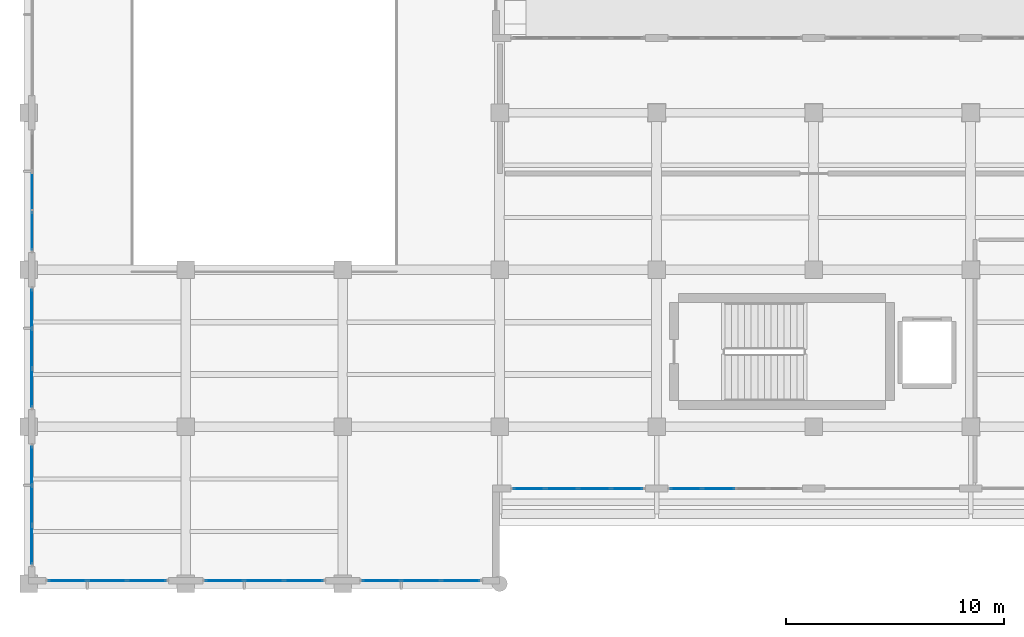
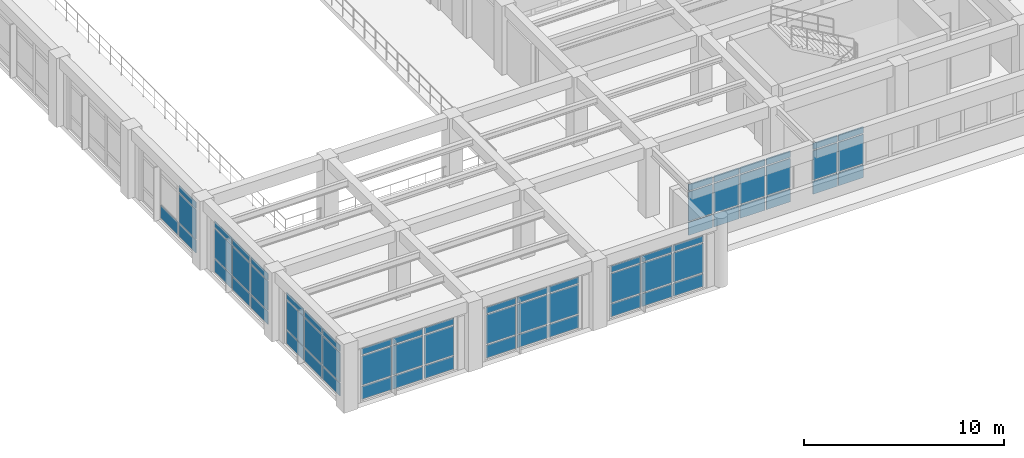
# One storey, part 33 of 67: 67 plates, 8 elements without a shape of their own.
"""IFC4 building model written with IfcOpenShell, lengths in metres."""

from ifc_helpers import new_model, si_unit, direction, frame, origin, origin_2d, place, context, subcontext, project, spatial, rectangle, extrude, material, layer, layer_set, type_object, element, aggregate, save


model = new_model("IFC4")

# Units and contexts
model_context = context("Model", 3, precision=1e-05, world=origin(), true_north=direction((0.0, 1.0)))
body_context = subcontext(model_context, "Body", "Model", "MODEL_VIEW")
ifc_project = project(units=[si_unit("LENGTHUNIT", "METRE"), si_unit("AREAUNIT", "SQUARE_METRE"), si_unit("VOLUMEUNIT", "CUBIC_METRE"), si_unit("PLANEANGLEUNIT", "RADIAN"), si_unit("MASSUNIT", "GRAM", prefix="KILO")], contexts=[model_context])

# Site, building, storey
site_placement = place(None, origin())
site = spatial("IfcSite", under=ifc_project, at=site_placement, CompositionType="ELEMENT")
building_placement = place(site_placement, origin())
building = spatial("IfcBuilding", under=site, at=building_placement, Name="Solenvale Faculty of Natural Sciences", CompositionType="ELEMENT")
storey_placement = place(building_placement, frame((0.0, 0.0, 13.5)))
storey = spatial("IfcBuildingStorey", under=building, at=storey_placement, Name="L03", CompositionType="ELEMENT", Elevation=13.5)

# Curtain wall, plates
ifc_material_1 = material(Name="Anodised bronze aluminium", Category="aluminium")
ifc_layer_1 = layer(ifc_material_1, 0.215087890625)
ifc_layer_set_1 = layer_set([ifc_layer_1], Name="Anodised bronze aluminium")
curtain_wall_type_1 = type_object("IfcCurtainWallType", Name="CW-ATR-UNIT", PredefinedType="USERDEFINED", material=ifc_layer_set_1)
curtain_wall_1_placement = place(storey_placement, origin())
curtain_wall_1 = element("IfcCurtainWall", 1, at=curtain_wall_1_placement, inside=storey, type_object=curtain_wall_type_1, Name="L03 Curtain Wall CW-L03-P1-E3-B9", ObjectType="UNITISED CURTAIN WALL", PredefinedType="USERDEFINED")
ifc_material_2 = material(Name="North-light skylight glass", Category="glass")
ifc_layer_2 = layer(ifc_material_2, 0.028076171875)
ifc_layer_set_2 = layer_set([ifc_layer_2], Name="North-light skylight glass")
plate_type_1 = type_object("IfcPlateType", Name="CWP-PNL-28", PredefinedType="CURTAIN_PANEL", material=ifc_layer_set_2)
plate_1_placement = place(storey_placement, frame((36.142578125, 32.39990234375, 0.074951171875), z_axis=(0.0, 0.0, 1.0), x_axis=(0.0, -1.0, 0.0)))
plate_1 = element("IfcPlate", 2, at=plate_1_placement, type_object=plate_type_1, Name="CW-01 panel 2.1", PredefinedType="CURTAIN_PANEL", context=body_context, shape_type="SweptSolid", body=[
    extrude(rectangle(XDim=1.75830078125, YDim=0.028076171875, at=origin_2d()), origin(), (0.0, 0.0, 1.0), 0.78759765625),
])
plate_2_placement = place(storey_placement, frame((36.142578125, 30.58544921875, 0.074951171875), z_axis=(0.0, 0.0, 1.0), x_axis=(0.0, -1.0, 0.0)))
plate_2 = element("IfcPlate", 3, at=plate_2_placement, type_object=plate_type_1, Name="CW-01 panel 3.1", PredefinedType="CURTAIN_PANEL", context=body_context, shape_type="SweptSolid", body=[
    extrude(rectangle(XDim=1.720947265625, YDim=0.028076171875, at=origin_2d()), origin(), (0.0, 0.0, 1.0), 0.78759765625),
])
plate_3_placement = place(storey_placement, frame((36.142578125, 30.58544921875, 0.9375), z_axis=(0.0, 0.0, 1.0), x_axis=(0.0, -1.0, 0.0)))
plate_3 = element("IfcPlate", 4, at=plate_3_placement, type_object=plate_type_1, Name="CW-01 panel 3.2", PredefinedType="CURTAIN_PANEL", context=body_context, shape_type="SweptSolid", body=[
    extrude(rectangle(XDim=1.720947265625, YDim=0.028076171875, at=origin_2d()), origin(), (0.0, 0.0, 1.0), 1.784912109375),
])
plate_4_placement = place(storey_placement, frame((36.142578125, 30.58544921875, 2.79736328125), z_axis=(0.0, 0.0, 1.0), x_axis=(0.0, -1.0, 0.0)))
plate_4 = element("IfcPlate", 5, at=plate_4_placement, type_object=plate_type_1, Name="CW-01 panel 3.3", PredefinedType="CURTAIN_PANEL", context=body_context, shape_type="SweptSolid", body=[
    extrude(rectangle(XDim=1.720947265625, YDim=0.028076171875, at=origin_2d()), origin(), (0.0, 0.0, 1.0), 0.387451171875),
])
aggregate(curtain_wall_1, [plate_1, plate_2, plate_3, plate_4])

curtain_wall_2_placement = place(storey_placement, origin())
curtain_wall_2 = element("IfcCurtainWall", 6, at=curtain_wall_2_placement, inside=storey, type_object=curtain_wall_type_1, Name="L03 Curtain Wall CW-L03-P1-E3-B10", ObjectType="UNITISED CURTAIN WALL", PredefinedType="USERDEFINED")
ifc_material_3 = material(Name="Triple low-E insulated glass", Category="glass")
ifc_layer_3 = layer(ifc_material_3, 0.031982421875)
ifc_layer_set_3 = layer_set([ifc_layer_3], Name="Triple low-E insulated glass")
plate_type_2 = type_object("IfcPlateType", Name="CWP-PNL-32", PredefinedType="CURTAIN_PANEL", material=ifc_layer_set_3)
plate_5_placement = place(storey_placement, frame((36.142578125, 27.0146484375, 0.074951171875), z_axis=(0.0, 0.0, 1.0), x_axis=(0.0, -1.0, 0.0)))
plate_5 = element("IfcPlate", 7, at=plate_5_placement, type_object=plate_type_2, Name="CW-01 panel 1.1", PredefinedType="CURTAIN_PANEL", context=body_context, shape_type="SweptSolid", body=[
    extrude(rectangle(XDim=1.720947265625, YDim=0.031982421875, at=origin_2d()), origin(), (0.0, 0.0, 1.0), 0.78759765625),
])
plate_6_placement = place(storey_placement, frame((36.142578125, 27.0146484375, 0.9375), z_axis=(0.0, 0.0, 1.0), x_axis=(0.0, -1.0, 0.0)))
plate_6 = element("IfcPlate", 8, at=plate_6_placement, type_object=plate_type_2, Name="CW-01 panel 1.2", PredefinedType="CURTAIN_PANEL", context=body_context, shape_type="SweptSolid", body=[
    extrude(rectangle(XDim=1.720947265625, YDim=0.031982421875, at=origin_2d()), origin(), (0.0, 0.0, 1.0), 1.784912109375),
])
plate_7_placement = place(storey_placement, frame((36.142578125, 27.0146484375, 2.79736328125), z_axis=(0.0, 0.0, 1.0), x_axis=(0.0, -1.0, 0.0)))
plate_7 = element("IfcPlate", 9, at=plate_7_placement, type_object=plate_type_2, Name="CW-01 panel 1.3", PredefinedType="CURTAIN_PANEL", context=body_context, shape_type="SweptSolid", body=[
    extrude(rectangle(XDim=1.720947265625, YDim=0.031982421875, at=origin_2d()), origin(), (0.0, 0.0, 1.0), 0.387451171875),
])
plate_8_placement = place(storey_placement, frame((36.142578125, 25.199951171875, 0.074951171875), z_axis=(0.0, 0.0, 1.0), x_axis=(0.0, -1.0, 0.0)))
plate_8 = element("IfcPlate", 10, at=plate_8_placement, type_object=plate_type_2, Name="CW-01 panel 2.1", PredefinedType="CURTAIN_PANEL", context=body_context, shape_type="SweptSolid", body=[
    extrude(rectangle(XDim=1.75830078125, YDim=0.031982421875, at=origin_2d()), origin(), (0.0, 0.0, 1.0), 0.78759765625),
])
plate_9_placement = place(storey_placement, frame((36.142578125, 25.199951171875, 0.9375), z_axis=(0.0, 0.0, 1.0), x_axis=(0.0, -1.0, 0.0)))
plate_9 = element("IfcPlate", 11, at=plate_9_placement, type_object=plate_type_2, Name="CW-01 panel 2.2", PredefinedType="CURTAIN_PANEL", context=body_context, shape_type="SweptSolid", body=[
    extrude(rectangle(XDim=1.75830078125, YDim=0.031982421875, at=origin_2d()), origin(), (0.0, 0.0, 1.0), 1.784912109375),
])
plate_10_placement = place(storey_placement, frame((36.142578125, 25.199951171875, 2.79736328125), z_axis=(0.0, 0.0, 1.0), x_axis=(0.0, -1.0, 0.0)))
plate_10 = element("IfcPlate", 12, at=plate_10_placement, type_object=plate_type_2, Name="CW-01 panel 2.3", PredefinedType="CURTAIN_PANEL", context=body_context, shape_type="SweptSolid", body=[
    extrude(rectangle(XDim=1.75830078125, YDim=0.031982421875, at=origin_2d()), origin(), (0.0, 0.0, 1.0), 0.387451171875),
])
plate_11_placement = place(storey_placement, frame((36.142578125, 23.385498046875, 0.074951171875), z_axis=(0.0, 0.0, 1.0), x_axis=(0.0, -1.0, 0.0)))
plate_11 = element("IfcPlate", 13, at=plate_11_placement, type_object=plate_type_2, Name="CW-01 panel 3.1", PredefinedType="CURTAIN_PANEL", context=body_context, shape_type="SweptSolid", body=[
    extrude(rectangle(XDim=1.720947265625, YDim=0.031982421875, at=origin_2d()), origin(), (0.0, 0.0, 1.0), 0.78759765625),
])
plate_12_placement = place(storey_placement, frame((36.142578125, 23.385498046875, 0.9375), z_axis=(0.0, 0.0, 1.0), x_axis=(0.0, -1.0, 0.0)))
plate_12 = element("IfcPlate", 14, at=plate_12_placement, type_object=plate_type_2, Name="CW-01 panel 3.2", PredefinedType="CURTAIN_PANEL", context=body_context, shape_type="SweptSolid", body=[
    extrude(rectangle(XDim=1.720947265625, YDim=0.031982421875, at=origin_2d()), origin(), (0.0, 0.0, 1.0), 1.784912109375),
])
plate_13_placement = place(storey_placement, frame((36.142578125, 23.385498046875, 2.79736328125), z_axis=(0.0, 0.0, 1.0), x_axis=(0.0, -1.0, 0.0)))
plate_13 = element("IfcPlate", 15, at=plate_13_placement, type_object=plate_type_2, Name="CW-01 panel 3.3", PredefinedType="CURTAIN_PANEL", context=body_context, shape_type="SweptSolid", body=[
    extrude(rectangle(XDim=1.720947265625, YDim=0.031982421875, at=origin_2d()), origin(), (0.0, 0.0, 1.0), 0.387451171875),
])
aggregate(curtain_wall_2, [plate_5, plate_6, plate_7, plate_8, plate_9, plate_10, plate_11, plate_12, plate_13])

curtain_wall_3_placement = place(storey_placement, origin())
curtain_wall_3 = element("IfcCurtainWall", 16, at=curtain_wall_3_placement, inside=storey, type_object=curtain_wall_type_1, Name="L03 Curtain Wall CW-L03-P1-E4-B1", ObjectType="UNITISED CURTAIN WALL", PredefinedType="USERDEFINED")
plate_14_placement = place(storey_placement, frame((37.785400390625, 14.54248046875, 0.074951171875), z_axis=(0.0, 0.0, 1.0), x_axis=(1.0, 0.0, 0.0)))
plate_14 = element("IfcPlate", 17, at=plate_14_placement, type_object=plate_type_2, Name="CW-01 panel 1.1", PredefinedType="CURTAIN_PANEL", context=body_context, shape_type="SweptSolid", body=[
    extrude(rectangle(XDim=1.720947265625, YDim=0.031982421875, at=origin_2d()), origin(), (0.0, 0.0, 1.0), 0.78759765625),
])
plate_15_placement = place(storey_placement, frame((37.785400390625, 14.54248046875, 0.9375), z_axis=(0.0, 0.0, 1.0), x_axis=(1.0, 0.0, 0.0)))
plate_15 = element("IfcPlate", 18, at=plate_15_placement, type_object=plate_type_2, Name="CW-01 panel 1.2", PredefinedType="CURTAIN_PANEL", context=body_context, shape_type="SweptSolid", body=[
    extrude(rectangle(XDim=1.720947265625, YDim=0.031982421875, at=origin_2d()), origin(), (0.0, 0.0, 1.0), 1.784912109375),
])
plate_16_placement = place(storey_placement, frame((37.785400390625, 14.54248046875, 2.79736328125), z_axis=(0.0, 0.0, 1.0), x_axis=(1.0, 0.0, 0.0)))
plate_16 = element("IfcPlate", 19, at=plate_16_placement, type_object=plate_type_2, Name="CW-01 panel 1.3", PredefinedType="CURTAIN_PANEL", context=body_context, shape_type="SweptSolid", body=[
    extrude(rectangle(XDim=1.720947265625, YDim=0.031982421875, at=origin_2d()), origin(), (0.0, 0.0, 1.0), 0.387451171875),
])
plate_17_placement = place(storey_placement, frame((39.60009765625, 14.54248046875, 0.074951171875), z_axis=(0.0, 0.0, 1.0), x_axis=(1.0, 0.0, 0.0)))
plate_17 = element("IfcPlate", 20, at=plate_17_placement, type_object=plate_type_2, Name="CW-01 panel 2.1", PredefinedType="CURTAIN_PANEL", context=body_context, shape_type="SweptSolid", body=[
    extrude(rectangle(XDim=1.75830078125, YDim=0.031982421875, at=origin_2d()), origin(), (0.0, 0.0, 1.0), 0.78759765625),
])
plate_18_placement = place(storey_placement, frame((39.60009765625, 14.54248046875, 0.9375), z_axis=(0.0, 0.0, 1.0), x_axis=(1.0, 0.0, 0.0)))
plate_18 = element("IfcPlate", 21, at=plate_18_placement, type_object=plate_type_2, Name="CW-01 panel 2.2", PredefinedType="CURTAIN_PANEL", context=body_context, shape_type="SweptSolid", body=[
    extrude(rectangle(XDim=1.75830078125, YDim=0.031982421875, at=origin_2d()), origin(), (0.0, 0.0, 1.0), 1.784912109375),
])
plate_19_placement = place(storey_placement, frame((39.60009765625, 14.54248046875, 2.79736328125), z_axis=(0.0, 0.0, 1.0), x_axis=(1.0, 0.0, 0.0)))
plate_19 = element("IfcPlate", 22, at=plate_19_placement, type_object=plate_type_2, Name="CW-01 panel 2.3", PredefinedType="CURTAIN_PANEL", context=body_context, shape_type="SweptSolid", body=[
    extrude(rectangle(XDim=1.75830078125, YDim=0.031982421875, at=origin_2d()), origin(), (0.0, 0.0, 1.0), 0.387451171875),
])
plate_20_placement = place(storey_placement, frame((41.41455078125, 14.54248046875, 0.074951171875), z_axis=(0.0, 0.0, 1.0), x_axis=(1.0, 0.0, 0.0)))
plate_20 = element("IfcPlate", 23, at=plate_20_placement, type_object=plate_type_2, Name="CW-01 panel 3.1", PredefinedType="CURTAIN_PANEL", context=body_context, shape_type="SweptSolid", body=[
    extrude(rectangle(XDim=1.720947265625, YDim=0.031982421875, at=origin_2d()), origin(), (0.0, 0.0, 1.0), 0.78759765625),
])
plate_21_placement = place(storey_placement, frame((41.41455078125, 14.54248046875, 0.9375), z_axis=(0.0, 0.0, 1.0), x_axis=(1.0, 0.0, 0.0)))
plate_21 = element("IfcPlate", 24, at=plate_21_placement, type_object=plate_type_2, Name="CW-01 panel 3.2", PredefinedType="CURTAIN_PANEL", context=body_context, shape_type="SweptSolid", body=[
    extrude(rectangle(XDim=1.720947265625, YDim=0.031982421875, at=origin_2d()), origin(), (0.0, 0.0, 1.0), 1.784912109375),
])
plate_22_placement = place(storey_placement, frame((41.41455078125, 14.54248046875, 2.79736328125), z_axis=(0.0, 0.0, 1.0), x_axis=(1.0, 0.0, 0.0)))
plate_22 = element("IfcPlate", 25, at=plate_22_placement, type_object=plate_type_2, Name="CW-01 panel 3.3", PredefinedType="CURTAIN_PANEL", context=body_context, shape_type="SweptSolid", body=[
    extrude(rectangle(XDim=1.720947265625, YDim=0.031982421875, at=origin_2d()), origin(), (0.0, 0.0, 1.0), 0.387451171875),
])
aggregate(curtain_wall_3, [plate_14, plate_15, plate_16, plate_17, plate_18, plate_19, plate_20, plate_21, plate_22])

curtain_wall_4_placement = place(storey_placement, origin())
curtain_wall_4 = element("IfcCurtainWall", 26, at=curtain_wall_4_placement, inside=storey, type_object=curtain_wall_type_1, Name="L03 Curtain Wall CW-L03-P1-E3-B11", ObjectType="UNITISED CURTAIN WALL", PredefinedType="USERDEFINED")
ifc_layer_4 = layer(ifc_material_3, 0.035888671875)
ifc_layer_set_4 = layer_set([ifc_layer_4], Name="Triple low-E insulated glass")
plate_type_3 = type_object("IfcPlateType", Name="CWP-PNL-36", PredefinedType="CURTAIN_PANEL", material=ifc_layer_set_4)
plate_23_placement = place(storey_placement, frame((36.142578125, 19.814697265625, 0.074951171875), z_axis=(0.0, 0.0, 1.0), x_axis=(0.0, -1.0, 0.0)))
plate_23 = element("IfcPlate", 27, at=plate_23_placement, type_object=plate_type_3, Name="CW-01 panel 1.1", PredefinedType="CURTAIN_PANEL", context=body_context, shape_type="SweptSolid", body=[
    extrude(rectangle(XDim=1.720947265625, YDim=0.035888671875, at=origin_2d()), origin(), (0.0, 0.0, 1.0), 0.78759765625),
])
plate_24_placement = place(storey_placement, frame((36.142578125, 19.814697265625, 0.9375), z_axis=(0.0, 0.0, 1.0), x_axis=(0.0, -1.0, 0.0)))
plate_24 = element("IfcPlate", 28, at=plate_24_placement, type_object=plate_type_3, Name="CW-01 panel 1.2", PredefinedType="CURTAIN_PANEL", context=body_context, shape_type="SweptSolid", body=[
    extrude(rectangle(XDim=1.720947265625, YDim=0.035888671875, at=origin_2d()), origin(), (0.0, 0.0, 1.0), 1.784912109375),
])
plate_25_placement = place(storey_placement, frame((36.142578125, 19.814697265625, 2.79736328125), z_axis=(0.0, 0.0, 1.0), x_axis=(0.0, -1.0, 0.0)))
plate_25 = element("IfcPlate", 29, at=plate_25_placement, type_object=plate_type_3, Name="CW-01 panel 1.3", PredefinedType="CURTAIN_PANEL", context=body_context, shape_type="SweptSolid", body=[
    extrude(rectangle(XDim=1.720947265625, YDim=0.035888671875, at=origin_2d()), origin(), (0.0, 0.0, 1.0), 0.387451171875),
])
plate_26_placement = place(storey_placement, frame((36.142578125, 18.0, 0.074951171875), z_axis=(0.0, 0.0, 1.0), x_axis=(0.0, -1.0, 0.0)))
plate_26 = element("IfcPlate", 30, at=plate_26_placement, type_object=plate_type_3, Name="CW-01 panel 2.1", PredefinedType="CURTAIN_PANEL", context=body_context, shape_type="SweptSolid", body=[
    extrude(rectangle(XDim=1.75830078125, YDim=0.035888671875, at=origin_2d()), origin(), (0.0, 0.0, 1.0), 0.78759765625),
])
plate_27_placement = place(storey_placement, frame((36.142578125, 18.0, 0.9375), z_axis=(0.0, 0.0, 1.0), x_axis=(0.0, -1.0, 0.0)))
plate_27 = element("IfcPlate", 31, at=plate_27_placement, type_object=plate_type_3, Name="CW-01 panel 2.2", PredefinedType="CURTAIN_PANEL", context=body_context, shape_type="SweptSolid", body=[
    extrude(rectangle(XDim=1.75830078125, YDim=0.035888671875, at=origin_2d()), origin(), (0.0, 0.0, 1.0), 1.784912109375),
])
plate_28_placement = place(storey_placement, frame((36.142578125, 18.0, 2.79736328125), z_axis=(0.0, 0.0, 1.0), x_axis=(0.0, -1.0, 0.0)))
plate_28 = element("IfcPlate", 32, at=plate_28_placement, type_object=plate_type_3, Name="CW-01 panel 2.3", PredefinedType="CURTAIN_PANEL", context=body_context, shape_type="SweptSolid", body=[
    extrude(rectangle(XDim=1.75830078125, YDim=0.035888671875, at=origin_2d()), origin(), (0.0, 0.0, 1.0), 0.387451171875),
])
plate_29_placement = place(storey_placement, frame((36.142578125, 16.185302734375, 0.074951171875), z_axis=(0.0, 0.0, 1.0), x_axis=(0.0, -1.0, 0.0)))
plate_29 = element("IfcPlate", 33, at=plate_29_placement, type_object=plate_type_3, Name="CW-01 panel 3.1", PredefinedType="CURTAIN_PANEL", context=body_context, shape_type="SweptSolid", body=[
    extrude(rectangle(XDim=1.720947265625, YDim=0.035888671875, at=origin_2d()), origin(), (0.0, 0.0, 1.0), 0.78759765625),
])
plate_30_placement = place(storey_placement, frame((36.142578125, 16.185302734375, 0.9375), z_axis=(0.0, 0.0, 1.0), x_axis=(0.0, -1.0, 0.0)))
plate_30 = element("IfcPlate", 34, at=plate_30_placement, type_object=plate_type_3, Name="CW-01 panel 3.2", PredefinedType="CURTAIN_PANEL", context=body_context, shape_type="SweptSolid", body=[
    extrude(rectangle(XDim=1.720947265625, YDim=0.035888671875, at=origin_2d()), origin(), (0.0, 0.0, 1.0), 1.784912109375),
])
plate_31_placement = place(storey_placement, frame((36.142578125, 16.185302734375, 2.79736328125), z_axis=(0.0, 0.0, 1.0), x_axis=(0.0, -1.0, 0.0)))
plate_31 = element("IfcPlate", 35, at=plate_31_placement, type_object=plate_type_3, Name="CW-01 panel 3.3", PredefinedType="CURTAIN_PANEL", context=body_context, shape_type="SweptSolid", body=[
    extrude(rectangle(XDim=1.720947265625, YDim=0.035888671875, at=origin_2d()), origin(), (0.0, 0.0, 1.0), 0.387451171875),
])
aggregate(curtain_wall_4, [plate_23, plate_24, plate_25, plate_26, plate_27, plate_28, plate_29, plate_30, plate_31])

curtain_wall_5_placement = place(storey_placement, origin())
curtain_wall_5 = element("IfcCurtainWall", 36, at=curtain_wall_5_placement, inside=storey, type_object=curtain_wall_type_1, Name="L03 Curtain Wall CW-L03-P1-E4-B2", ObjectType="UNITISED CURTAIN WALL", PredefinedType="USERDEFINED")
plate_32_placement = place(storey_placement, frame((44.9853515625, 14.54248046875, 0.074951171875), z_axis=(0.0, 0.0, 1.0), x_axis=(1.0, 0.0, 0.0)))
plate_32 = element("IfcPlate", 37, at=plate_32_placement, type_object=plate_type_3, Name="CW-01 panel 1.1", PredefinedType="CURTAIN_PANEL", context=body_context, shape_type="SweptSolid", body=[
    extrude(rectangle(XDim=1.720947265625, YDim=0.035888671875, at=origin_2d()), origin(), (0.0, 0.0, 1.0), 0.78759765625),
])
plate_33_placement = place(storey_placement, frame((44.9853515625, 14.54248046875, 0.9375), z_axis=(0.0, 0.0, 1.0), x_axis=(1.0, 0.0, 0.0)))
plate_33 = element("IfcPlate", 38, at=plate_33_placement, type_object=plate_type_3, Name="CW-01 panel 1.2", PredefinedType="CURTAIN_PANEL", context=body_context, shape_type="SweptSolid", body=[
    extrude(rectangle(XDim=1.720947265625, YDim=0.035888671875, at=origin_2d()), origin(), (0.0, 0.0, 1.0), 1.784912109375),
])
plate_34_placement = place(storey_placement, frame((44.9853515625, 14.54248046875, 2.79736328125), z_axis=(0.0, 0.0, 1.0), x_axis=(1.0, 0.0, 0.0)))
plate_34 = element("IfcPlate", 39, at=plate_34_placement, type_object=plate_type_3, Name="CW-01 panel 1.3", PredefinedType="CURTAIN_PANEL", context=body_context, shape_type="SweptSolid", body=[
    extrude(rectangle(XDim=1.720947265625, YDim=0.035888671875, at=origin_2d()), origin(), (0.0, 0.0, 1.0), 0.387451171875),
])
plate_35_placement = place(storey_placement, frame((46.800048828125, 14.54248046875, 0.074951171875), z_axis=(0.0, 0.0, 1.0), x_axis=(1.0, 0.0, 0.0)))
plate_35 = element("IfcPlate", 40, at=plate_35_placement, type_object=plate_type_3, Name="CW-01 panel 2.1", PredefinedType="CURTAIN_PANEL", context=body_context, shape_type="SweptSolid", body=[
    extrude(rectangle(XDim=1.75830078125, YDim=0.035888671875, at=origin_2d()), origin(), (0.0, 0.0, 1.0), 0.78759765625),
])
plate_36_placement = place(storey_placement, frame((46.800048828125, 14.54248046875, 0.9375), z_axis=(0.0, 0.0, 1.0), x_axis=(1.0, 0.0, 0.0)))
plate_36 = element("IfcPlate", 41, at=plate_36_placement, type_object=plate_type_3, Name="CW-01 panel 2.2", PredefinedType="CURTAIN_PANEL", context=body_context, shape_type="SweptSolid", body=[
    extrude(rectangle(XDim=1.75830078125, YDim=0.035888671875, at=origin_2d()), origin(), (0.0, 0.0, 1.0), 1.784912109375),
])
plate_37_placement = place(storey_placement, frame((46.800048828125, 14.54248046875, 2.79736328125), z_axis=(0.0, 0.0, 1.0), x_axis=(1.0, 0.0, 0.0)))
plate_37 = element("IfcPlate", 42, at=plate_37_placement, type_object=plate_type_3, Name="CW-01 panel 2.3", PredefinedType="CURTAIN_PANEL", context=body_context, shape_type="SweptSolid", body=[
    extrude(rectangle(XDim=1.75830078125, YDim=0.035888671875, at=origin_2d()), origin(), (0.0, 0.0, 1.0), 0.387451171875),
])
plate_38_placement = place(storey_placement, frame((48.614501953125, 14.54248046875, 0.074951171875), z_axis=(0.0, 0.0, 1.0), x_axis=(1.0, 0.0, 0.0)))
plate_38 = element("IfcPlate", 43, at=plate_38_placement, type_object=plate_type_3, Name="CW-01 panel 3.1", PredefinedType="CURTAIN_PANEL", context=body_context, shape_type="SweptSolid", body=[
    extrude(rectangle(XDim=1.720947265625, YDim=0.035888671875, at=origin_2d()), origin(), (0.0, 0.0, 1.0), 0.78759765625),
])
plate_39_placement = place(storey_placement, frame((48.614501953125, 14.54248046875, 0.9375), z_axis=(0.0, 0.0, 1.0), x_axis=(1.0, 0.0, 0.0)))
plate_39 = element("IfcPlate", 44, at=plate_39_placement, type_object=plate_type_3, Name="CW-01 panel 3.2", PredefinedType="CURTAIN_PANEL", context=body_context, shape_type="SweptSolid", body=[
    extrude(rectangle(XDim=1.720947265625, YDim=0.035888671875, at=origin_2d()), origin(), (0.0, 0.0, 1.0), 1.784912109375),
])
plate_40_placement = place(storey_placement, frame((48.614501953125, 14.54248046875, 2.79736328125), z_axis=(0.0, 0.0, 1.0), x_axis=(1.0, 0.0, 0.0)))
plate_40 = element("IfcPlate", 45, at=plate_40_placement, type_object=plate_type_3, Name="CW-01 panel 3.3", PredefinedType="CURTAIN_PANEL", context=body_context, shape_type="SweptSolid", body=[
    extrude(rectangle(XDim=1.720947265625, YDim=0.035888671875, at=origin_2d()), origin(), (0.0, 0.0, 1.0), 0.387451171875),
])
aggregate(curtain_wall_5, [plate_32, plate_33, plate_34, plate_35, plate_36, plate_37, plate_38, plate_39, plate_40])

curtain_wall_6_placement = place(storey_placement, origin())
curtain_wall_6 = element("IfcCurtainWall", 46, at=curtain_wall_6_placement, inside=storey, type_object=curtain_wall_type_1, Name="L03 Curtain Wall CW-L03-P1-E4-B3", ObjectType="UNITISED CURTAIN WALL", PredefinedType="USERDEFINED")
ifc_layer_5 = layer(ifc_material_3, 0.0400390625)
ifc_layer_set_5 = layer_set([ifc_layer_5], Name="Triple low-E insulated glass")
plate_type_4 = type_object("IfcPlateType", Name="CWP-PNL-40", PredefinedType="CURTAIN_PANEL", material=ifc_layer_set_5)
plate_41_placement = place(storey_placement, frame((52.185302734375, 14.54248046875, 0.074951171875), z_axis=(0.0, 0.0, 1.0), x_axis=(1.0, 0.0, 0.0)))
plate_41 = element("IfcPlate", 47, at=plate_41_placement, type_object=plate_type_4, Name="CW-01 panel 1.1", PredefinedType="CURTAIN_PANEL", context=body_context, shape_type="SweptSolid", body=[
    extrude(rectangle(XDim=1.720947265625, YDim=0.0400390625, at=origin_2d()), origin(), (0.0, 0.0, 1.0), 0.78759765625),
])
plate_42_placement = place(storey_placement, frame((52.185302734375, 14.54248046875, 0.9375), z_axis=(0.0, 0.0, 1.0), x_axis=(1.0, 0.0, 0.0)))
plate_42 = element("IfcPlate", 48, at=plate_42_placement, type_object=plate_type_4, Name="CW-01 panel 1.2", PredefinedType="CURTAIN_PANEL", context=body_context, shape_type="SweptSolid", body=[
    extrude(rectangle(XDim=1.720947265625, YDim=0.0400390625, at=origin_2d()), origin(), (0.0, 0.0, 1.0), 1.784912109375),
])
plate_43_placement = place(storey_placement, frame((52.185302734375, 14.54248046875, 2.79736328125), z_axis=(0.0, 0.0, 1.0), x_axis=(1.0, 0.0, 0.0)))
plate_43 = element("IfcPlate", 49, at=plate_43_placement, type_object=plate_type_4, Name="CW-01 panel 1.3", PredefinedType="CURTAIN_PANEL", context=body_context, shape_type="SweptSolid", body=[
    extrude(rectangle(XDim=1.720947265625, YDim=0.0400390625, at=origin_2d()), origin(), (0.0, 0.0, 1.0), 0.387451171875),
])
plate_44_placement = place(storey_placement, frame((54.0, 14.54248046875, 0.074951171875), z_axis=(0.0, 0.0, 1.0), x_axis=(1.0, 0.0, 0.0)))
plate_44 = element("IfcPlate", 50, at=plate_44_placement, type_object=plate_type_4, Name="CW-01 panel 2.1", PredefinedType="CURTAIN_PANEL", context=body_context, shape_type="SweptSolid", body=[
    extrude(rectangle(XDim=1.75830078125, YDim=0.0400390625, at=origin_2d()), origin(), (0.0, 0.0, 1.0), 0.78759765625),
])
plate_45_placement = place(storey_placement, frame((54.0, 14.54248046875, 0.9375), z_axis=(0.0, 0.0, 1.0), x_axis=(1.0, 0.0, 0.0)))
plate_45 = element("IfcPlate", 51, at=plate_45_placement, type_object=plate_type_4, Name="CW-01 panel 2.2", PredefinedType="CURTAIN_PANEL", context=body_context, shape_type="SweptSolid", body=[
    extrude(rectangle(XDim=1.75830078125, YDim=0.0400390625, at=origin_2d()), origin(), (0.0, 0.0, 1.0), 1.784912109375),
])
plate_46_placement = place(storey_placement, frame((54.0, 14.54248046875, 2.79736328125), z_axis=(0.0, 0.0, 1.0), x_axis=(1.0, 0.0, 0.0)))
plate_46 = element("IfcPlate", 52, at=plate_46_placement, type_object=plate_type_4, Name="CW-01 panel 2.3", PredefinedType="CURTAIN_PANEL", context=body_context, shape_type="SweptSolid", body=[
    extrude(rectangle(XDim=1.75830078125, YDim=0.0400390625, at=origin_2d()), origin(), (0.0, 0.0, 1.0), 0.387451171875),
])
plate_47_placement = place(storey_placement, frame((55.814697265625, 14.54248046875, 0.074951171875), z_axis=(0.0, 0.0, 1.0), x_axis=(1.0, 0.0, 0.0)))
plate_47 = element("IfcPlate", 53, at=plate_47_placement, type_object=plate_type_4, Name="CW-01 panel 3.1", PredefinedType="CURTAIN_PANEL", context=body_context, shape_type="SweptSolid", body=[
    extrude(rectangle(XDim=1.720947265625, YDim=0.0400390625, at=origin_2d()), origin(), (0.0, 0.0, 1.0), 0.78759765625),
])
plate_48_placement = place(storey_placement, frame((55.814697265625, 14.54248046875, 0.9375), z_axis=(0.0, 0.0, 1.0), x_axis=(1.0, 0.0, 0.0)))
plate_48 = element("IfcPlate", 54, at=plate_48_placement, type_object=plate_type_4, Name="CW-01 panel 3.2", PredefinedType="CURTAIN_PANEL", context=body_context, shape_type="SweptSolid", body=[
    extrude(rectangle(XDim=1.720947265625, YDim=0.0400390625, at=origin_2d()), origin(), (0.0, 0.0, 1.0), 1.784912109375),
])
plate_49_placement = place(storey_placement, frame((55.814697265625, 14.54248046875, 2.79736328125), z_axis=(0.0, 0.0, 1.0), x_axis=(1.0, 0.0, 0.0)))
plate_49 = element("IfcPlate", 55, at=plate_49_placement, type_object=plate_type_4, Name="CW-01 panel 3.3", PredefinedType="CURTAIN_PANEL", context=body_context, shape_type="SweptSolid", body=[
    extrude(rectangle(XDim=1.720947265625, YDim=0.0400390625, at=origin_2d()), origin(), (0.0, 0.0, 1.0), 0.387451171875),
])
aggregate(curtain_wall_6, [plate_41, plate_42, plate_43, plate_44, plate_45, plate_46, plate_47, plate_48, plate_49])

ifc_layer_6 = layer(ifc_material_1, 0.18994140625)
ifc_layer_set_6 = layer_set([ifc_layer_6], Name="Anodised bronze aluminium")
curtain_wall_type_2 = type_object("IfcCurtainWallType", Name="CW-TRAY-REC", PredefinedType="USERDEFINED", material=ifc_layer_set_6)
curtain_wall_7_placement = place(storey_placement, origin())
curtain_wall_7 = element("IfcCurtainWall", 56, at=curtain_wall_7_placement, inside=storey, type_object=curtain_wall_type_2, Name="L03 Curtain Wall CW-L03-P1-E6-B1", ObjectType="UNITISED CURTAIN WALL", PredefinedType="USERDEFINED")
plate_50_placement = place(storey_placement, frame((58.953857421875, 18.762451171875, 0.074951171875), z_axis=(0.0, 0.0, 1.0), x_axis=(1.0, 0.0, 0.0)))
plate_50 = element("IfcPlate", 57, at=plate_50_placement, type_object=plate_type_4, Name="CW-02 panel 1.1", PredefinedType="CURTAIN_PANEL", context=body_context, shape_type="SweptSolid", body=[
    extrude(rectangle(XDim=1.3974609375, YDim=0.0400390625, at=origin_2d()), origin(), (0.0, 0.0, 1.0), 0.78759765625),
])
plate_51_placement = place(storey_placement, frame((58.953857421875, 18.762451171875, 0.9375), z_axis=(0.0, 0.0, 1.0), x_axis=(1.0, 0.0, 0.0)))
plate_51 = element("IfcPlate", 58, at=plate_51_placement, type_object=plate_type_4, Name="CW-02 panel 1.2", PredefinedType="CURTAIN_PANEL", context=body_context, shape_type="SweptSolid", body=[
    extrude(rectangle(XDim=1.3974609375, YDim=0.0400390625, at=origin_2d()), origin(), (0.0, 0.0, 1.0), 1.784912109375),
])
plate_52_placement = place(storey_placement, frame((58.953857421875, 18.762451171875, 2.79736328125), z_axis=(0.0, 0.0, 1.0), x_axis=(1.0, 0.0, 0.0)))
plate_52 = element("IfcPlate", 59, at=plate_52_placement, type_object=plate_type_4, Name="CW-02 panel 1.3", PredefinedType="CURTAIN_PANEL", context=body_context, shape_type="SweptSolid", body=[
    extrude(rectangle(XDim=1.3974609375, YDim=0.0400390625, at=origin_2d()), origin(), (0.0, 0.0, 1.0), 0.387451171875),
])
plate_53_placement = place(storey_placement, frame((60.445068359375, 18.762451171875, 0.074951171875), z_axis=(0.0, 0.0, 1.0), x_axis=(1.0, 0.0, 0.0)))
plate_53 = element("IfcPlate", 60, at=plate_53_placement, type_object=plate_type_4, Name="CW-02 panel 2.1", PredefinedType="CURTAIN_PANEL", context=body_context, shape_type="SweptSolid", body=[
    extrude(rectangle(XDim=1.43505859375, YDim=0.0400390625, at=origin_2d()), origin(), (0.0, 0.0, 1.0), 0.78759765625),
])
plate_54_placement = place(storey_placement, frame((60.445068359375, 18.762451171875, 0.9375), z_axis=(0.0, 0.0, 1.0), x_axis=(1.0, 0.0, 0.0)))
plate_54 = element("IfcPlate", 61, at=plate_54_placement, type_object=plate_type_4, Name="CW-02 panel 2.2", PredefinedType="CURTAIN_PANEL", context=body_context, shape_type="SweptSolid", body=[
    extrude(rectangle(XDim=1.43505859375, YDim=0.0400390625, at=origin_2d()), origin(), (0.0, 0.0, 1.0), 1.784912109375),
])
plate_55_placement = place(storey_placement, frame((60.445068359375, 18.762451171875, 2.79736328125), z_axis=(0.0, 0.0, 1.0), x_axis=(1.0, 0.0, 0.0)))
plate_55 = element("IfcPlate", 62, at=plate_55_placement, type_object=plate_type_4, Name="CW-02 panel 2.3", PredefinedType="CURTAIN_PANEL", context=body_context, shape_type="SweptSolid", body=[
    extrude(rectangle(XDim=1.43505859375, YDim=0.0400390625, at=origin_2d()), origin(), (0.0, 0.0, 1.0), 0.387451171875),
])
plate_56_placement = place(storey_placement, frame((61.955078125, 18.762451171875, 0.074951171875), z_axis=(0.0, 0.0, 1.0), x_axis=(1.0, 0.0, 0.0)))
plate_56 = element("IfcPlate", 63, at=plate_56_placement, type_object=plate_type_4, Name="CW-02 panel 3.1", PredefinedType="CURTAIN_PANEL", context=body_context, shape_type="SweptSolid", body=[
    extrude(rectangle(XDim=1.43505859375, YDim=0.0400390625, at=origin_2d()), origin(), (0.0, 0.0, 1.0), 0.78759765625),
])
plate_57_placement = place(storey_placement, frame((61.955078125, 18.762451171875, 0.9375), z_axis=(0.0, 0.0, 1.0), x_axis=(1.0, 0.0, 0.0)))
plate_57 = element("IfcPlate", 64, at=plate_57_placement, type_object=plate_type_4, Name="CW-02 panel 3.2", PredefinedType="CURTAIN_PANEL", context=body_context, shape_type="SweptSolid", body=[
    extrude(rectangle(XDim=1.43505859375, YDim=0.0400390625, at=origin_2d()), origin(), (0.0, 0.0, 1.0), 1.784912109375),
])
plate_58_placement = place(storey_placement, frame((61.955078125, 18.762451171875, 2.79736328125), z_axis=(0.0, 0.0, 1.0), x_axis=(1.0, 0.0, 0.0)))
plate_58 = element("IfcPlate", 65, at=plate_58_placement, type_object=plate_type_4, Name="CW-02 panel 3.3", PredefinedType="CURTAIN_PANEL", context=body_context, shape_type="SweptSolid", body=[
    extrude(rectangle(XDim=1.43505859375, YDim=0.0400390625, at=origin_2d()), origin(), (0.0, 0.0, 1.0), 0.387451171875),
])
plate_59_placement = place(storey_placement, frame((63.4462890625, 18.762451171875, 0.074951171875), z_axis=(0.0, 0.0, 1.0), x_axis=(1.0, 0.0, 0.0)))
plate_59 = element("IfcPlate", 66, at=plate_59_placement, type_object=plate_type_4, Name="CW-02 panel 4.1", PredefinedType="CURTAIN_PANEL", context=body_context, shape_type="SweptSolid", body=[
    extrude(rectangle(XDim=1.3974609375, YDim=0.0400390625, at=origin_2d()), origin(), (0.0, 0.0, 1.0), 0.78759765625),
])
plate_60_placement = place(storey_placement, frame((63.4462890625, 18.762451171875, 0.9375), z_axis=(0.0, 0.0, 1.0), x_axis=(1.0, 0.0, 0.0)))
plate_60 = element("IfcPlate", 67, at=plate_60_placement, type_object=plate_type_4, Name="CW-02 panel 4.2", PredefinedType="CURTAIN_PANEL", context=body_context, shape_type="SweptSolid", body=[
    extrude(rectangle(XDim=1.3974609375, YDim=0.0400390625, at=origin_2d()), origin(), (0.0, 0.0, 1.0), 1.784912109375),
])
plate_61_placement = place(storey_placement, frame((63.4462890625, 18.762451171875, 2.79736328125), z_axis=(0.0, 0.0, 1.0), x_axis=(1.0, 0.0, 0.0)))
plate_61 = element("IfcPlate", 68, at=plate_61_placement, type_object=plate_type_4, Name="CW-02 panel 4.3", PredefinedType="CURTAIN_PANEL", context=body_context, shape_type="SweptSolid", body=[
    extrude(rectangle(XDim=1.3974609375, YDim=0.0400390625, at=origin_2d()), origin(), (0.0, 0.0, 1.0), 0.387451171875),
])
aggregate(curtain_wall_7, [plate_50, plate_51, plate_52, plate_53, plate_54, plate_55, plate_56, plate_57, plate_58, plate_59, plate_60, plate_61])

curtain_wall_8_placement = place(storey_placement, origin())
curtain_wall_8 = element("IfcCurtainWall", 69, at=curtain_wall_8_placement, inside=storey, type_object=curtain_wall_type_2, Name="L03 Curtain Wall CW-L03-P1-E6-B2", ObjectType="UNITISED CURTAIN WALL", PredefinedType="USERDEFINED")
ifc_layer_7 = layer(ifc_material_3, 0.0439453125)
ifc_layer_set_7 = layer_set([ifc_layer_7], Name="Triple low-E insulated glass")
plate_type_5 = type_object("IfcPlateType", Name="CWP-PNL-44", PredefinedType="CURTAIN_PANEL", material=ifc_layer_set_7)
plate_62_placement = place(storey_placement, frame((66.15380859375, 18.762451171875, 0.074951171875), z_axis=(0.0, 0.0, 1.0), x_axis=(1.0, 0.0, 0.0)))
plate_62 = element("IfcPlate", 70, at=plate_62_placement, type_object=plate_type_5, Name="CW-02 panel 1.1", PredefinedType="CURTAIN_PANEL", context=body_context, shape_type="SweptSolid", body=[
    extrude(rectangle(XDim=1.3974609375, YDim=0.0439453125, at=origin_2d()), origin(), (0.0, 0.0, 1.0), 0.78759765625),
])
plate_63_placement = place(storey_placement, frame((66.15380859375, 18.762451171875, 0.9375), z_axis=(0.0, 0.0, 1.0), x_axis=(1.0, 0.0, 0.0)))
plate_63 = element("IfcPlate", 71, at=plate_63_placement, type_object=plate_type_5, Name="CW-02 panel 1.2", PredefinedType="CURTAIN_PANEL", context=body_context, shape_type="SweptSolid", body=[
    extrude(rectangle(XDim=1.3974609375, YDim=0.0439453125, at=origin_2d()), origin(), (0.0, 0.0, 1.0), 1.784912109375),
])
plate_64_placement = place(storey_placement, frame((66.15380859375, 18.762451171875, 2.79736328125), z_axis=(0.0, 0.0, 1.0), x_axis=(1.0, 0.0, 0.0)))
plate_64 = element("IfcPlate", 72, at=plate_64_placement, type_object=plate_type_5, Name="CW-02 panel 1.3", PredefinedType="CURTAIN_PANEL", context=body_context, shape_type="SweptSolid", body=[
    extrude(rectangle(XDim=1.3974609375, YDim=0.0439453125, at=origin_2d()), origin(), (0.0, 0.0, 1.0), 0.387451171875),
])
plate_65_placement = place(storey_placement, frame((67.64501953125, 18.762451171875, 0.074951171875), z_axis=(0.0, 0.0, 1.0), x_axis=(1.0, 0.0, 0.0)))
plate_65 = element("IfcPlate", 73, at=plate_65_placement, type_object=plate_type_5, Name="CW-02 panel 2.1", PredefinedType="CURTAIN_PANEL", context=body_context, shape_type="SweptSolid", body=[
    extrude(rectangle(XDim=1.43505859375, YDim=0.0439453125, at=origin_2d()), origin(), (0.0, 0.0, 1.0), 0.78759765625),
])
plate_66_placement = place(storey_placement, frame((67.64501953125, 18.762451171875, 0.9375), z_axis=(0.0, 0.0, 1.0), x_axis=(1.0, 0.0, 0.0)))
plate_66 = element("IfcPlate", 74, at=plate_66_placement, type_object=plate_type_5, Name="CW-02 panel 2.2", PredefinedType="CURTAIN_PANEL", context=body_context, shape_type="SweptSolid", body=[
    extrude(rectangle(XDim=1.43505859375, YDim=0.0439453125, at=origin_2d()), origin(), (0.0, 0.0, 1.0), 1.784912109375),
])
plate_67_placement = place(storey_placement, frame((67.64501953125, 18.762451171875, 2.79736328125), z_axis=(0.0, 0.0, 1.0), x_axis=(1.0, 0.0, 0.0)))
plate_67 = element("IfcPlate", 75, at=plate_67_placement, type_object=plate_type_5, Name="CW-02 panel 2.3", PredefinedType="CURTAIN_PANEL", context=body_context, shape_type="SweptSolid", body=[
    extrude(rectangle(XDim=1.43505859375, YDim=0.0439453125, at=origin_2d()), origin(), (0.0, 0.0, 1.0), 0.387451171875),
])
aggregate(curtain_wall_8, [plate_62, plate_63, plate_64, plate_65, plate_66, plate_67])

save(model, "model.ifc")
